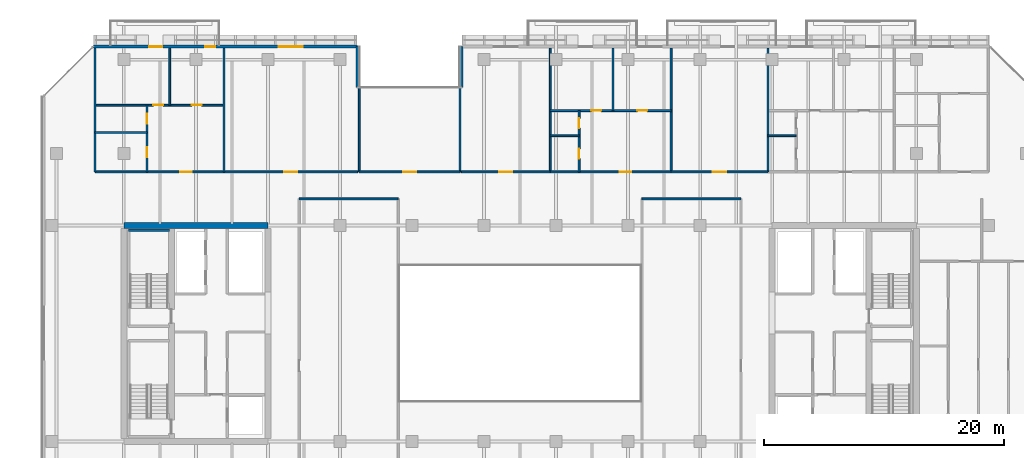
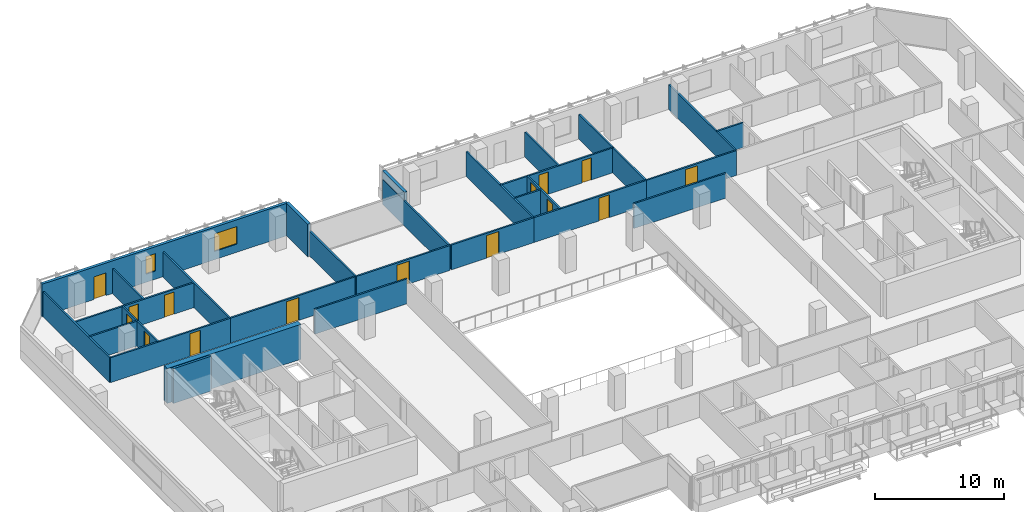
# One storey, part 24 of 33: 29 walls, 15 doors, 2 windows, 17 openings.
"""IFC4 building model written with IfcOpenShell, lengths in metres."""

from ifc_helpers import new_model, si_unit, direction, frame, frame_2d, origin, place, context, subcontext, project, spatial, rectangle, extrude, material, layer, layer_set, type_object, element, fill, save


model = new_model("IFC4")

# Units and contexts
model_context = context("Model", 3, precision=1e-05, world=origin(), true_north=direction((0.0, 1.0)))
body_context = subcontext(model_context, "Body", "Model", "MODEL_VIEW")
ifc_project = project(units=[si_unit("LENGTHUNIT", "METRE"), si_unit("AREAUNIT", "SQUARE_METRE"), si_unit("VOLUMEUNIT", "CUBIC_METRE"), si_unit("PLANEANGLEUNIT", "RADIAN"), si_unit("MASSUNIT", "GRAM", prefix="KILO")], contexts=[model_context])

# Site, building, storey
site_placement = place(None, origin())
site = spatial("IfcSite", under=ifc_project, at=site_placement, CompositionType="ELEMENT")
building_placement = place(site_placement, origin())
building = spatial("IfcBuilding", under=site, at=building_placement, Name="Tanjung Sevakor Pilgrim Tower", CompositionType="ELEMENT")
storey_placement = place(building_placement, frame((0.0, 0.0, 95.3701171875)))
storey = spatial("IfcBuildingStorey", under=building, at=storey_placement, Name="L26", CompositionType="ELEMENT", Elevation=95.3701171875)

# Walls
ifc_material_1 = material(Name="Concrete C60/75", Category="concrete")
ifc_layer_1 = layer(ifc_material_1, 0.5)
ifc_layer_set_1 = layer_set([ifc_layer_1], Name="WALL-CW-500")
wall_type_1 = type_object("IfcWallType", Name="WALL-CW-500", PredefinedType="SHEAR", material=ifc_layer_set_1)
wall_1_placement = place(storey_placement, frame((36.0, 42.60009765625, 0.0), z_axis=(0.0, 0.0, 1.0), x_axis=(-1.0, 0.0, 0.0)))
element("IfcWall", 1, at=wall_1_placement, inside=storey, type_object=wall_type_1, Name="L26 W Core North Shear Wall", PredefinedType="SHEAR", context=body_context, shape_type="SweptSolid", body=[
    extrude(rectangle(XDim=12.0, YDim=0.5, at=frame_2d((6.0, 0.0))), origin(), (0.0, 0.0, 1.0), 3.2998046875),
])
ifc_material_2 = material(Name="Concrete C40/50", Category="concrete")
ifc_layer_2 = layer(ifc_material_2, 0.14990234375)
ifc_layer_set_2 = layer_set([ifc_layer_2], Name="WT-COMP-150")
wall_type_2 = type_object("IfcWallType", Name="WT-COMP-150", PredefinedType="SOLIDWALL", material=ifc_layer_set_2)
for number, where, z_axis, x_axis, name in (
    (2, (38.60009765625, 44.800048828125, 0.0), (0.0, 0.0, 1.0), (1.0, 0.0, 0.0), "L26 Partition IW-L26-022"),
    (3, (67.14990234375, 44.800048828125, 0.0), (0.0, 0.0, 1.0), (1.0, 0.0, 0.0), "L26 Partition IW-L26-026"),
):
    element("IfcWall", number, at=place(storey_placement, frame(where, z_axis=z_axis, x_axis=x_axis)), inside=storey, type_object=wall_type_2, Name=name, PredefinedType="SOLIDWALL", context=body_context, shape_type="SweptSolid", body=[
        extrude(rectangle(XDim=8.25, YDim=0.14990234375, at=frame_2d((4.125, 0.0))), origin(), (0.0, 0.0, 1.0), 2.35009765625),
    ])

# Wall, opening, door
wall_2_placement = place(storey_placement, frame((43.60009765625, 47.050048828125, 0.0), z_axis=(0.0, 0.0, 1.0), x_axis=(1.0, 0.0, 0.0)))
wall_2 = element("IfcWall", 4, at=wall_2_placement, inside=storey, type_object=wall_type_2, Name="L26 Partition IW-L26-040", PredefinedType="SOLIDWALL", context=body_context, shape_type="SweptSolid", body=[
    extrude(rectangle(XDim=8.39990234375, YDim=0.14990234375, at=frame_2d((4.199951171875, 0.0))), origin(), (0.0, 0.0, 1.0), 2.35009765625),
])
opening_1_placement = place(wall_2_placement, frame((3.64990234375, 0.0, 0.0)))
opening_1 = element("IfcOpeningElement", 5, at=opening_1_placement, cuts=wall_2, Name="Opening ID-RM2", PredefinedType="OPENING", context=body_context, shape_type="SweptSolid", body=[
    extrude(rectangle(XDim=1.10009765625, YDim=2.14990234375, at=frame_2d((0.550048828125, 1.074951171875))), frame((0.0, 0.0849609375, 0.0), z_axis=(0.0, -1.0, 0.0), x_axis=(1.0, 0.0, 0.0)), (0.0, 0.0, 1.0), 0.169921875),
])
ifc_material_3 = material(Name="Hardwood Timber", Category="wood")
door_type_1 = type_object("IfcDoorType", Name="DT-INT-1100", OperationType="NOTDEFINED", PredefinedType="DOOR", material=ifc_material_3)
door_1_placement = place(opening_1_placement, origin())
door_1 = element("IfcDoor", 6, at=door_1_placement, inside=storey, type_object=door_type_1, Name="L26 North Cleft Reading Room Door", OperationType="SINGLE_SWING_LEFT", OverallHeight=2.14990234375, OverallWidth=1.10009765625, PredefinedType="DOOR", context=body_context, shape_type="SweptSolid", body=[
    extrude(rectangle(XDim=1.10009765625, YDim=2.14990234375, at=frame_2d((0.550048828125, 1.074951171875))), frame((0.0, 0.02490234375, 0.0), z_axis=(0.0, -1.0, 0.0), x_axis=(1.0, 0.0, 0.0)), (0.0, 0.0, 1.0), 0.050048828125),
])
fill(opening_1, door_1)

# Walls
for number, where, z_axis, x_axis, name in (
    (7, (43.60009765625, 47.050048828125, 0.0), (0.0, 0.0, 1.0), (0.0, 1.0, 0.0), "L26 Partition IW-L26-041"),
    (8, (52.0, 47.050048828125, 0.0), (0.0, 0.0, 1.0), (0.0, 1.0, 0.0), "L26 Partition IW-L26-042"),
    (9, (21.60009765625, 47.050048828125, 0.0), (0.0, 0.0, 1.0), (0.0, 1.0, 0.0), "L26 Partition IW-L26-075"),
    (10, (32.335693359375, 47.050048828125, 0.0), (0.0, 0.0, 1.0), (0.0, 1.0, 0.0), "L26 Partition IW-L26-076"),
):
    element("IfcWall", number, at=place(storey_placement, frame(where, z_axis=z_axis, x_axis=x_axis)), inside=storey, type_object=wall_type_2, Name=name, PredefinedType="SOLIDWALL", context=body_context, shape_type="SweptSolid", body=[
        extrude(rectangle(XDim=10.300048828125, YDim=0.14990234375, at=frame_2d((5.14990234375, 0.0))), origin(), (0.0, 0.0, 1.0), 2.35009765625),
    ])

# Wall, opening, door
wall_3_placement = place(storey_placement, frame((21.60009765625, 47.050048828125, 0.0), z_axis=(0.0, 0.0, 1.0), x_axis=(1.0, 0.0, 0.0)))
wall_3 = element("IfcWall", 11, at=wall_3_placement, inside=storey, type_object=wall_type_2, Name="L26 Partition IW-L26-081", PredefinedType="SOLIDWALL", context=body_context, shape_type="SweptSolid", body=[
    extrude(rectangle(XDim=10.735595703125, YDim=0.14990234375, at=frame_2d((5.36767578125, 0.0))), origin(), (0.0, 0.0, 1.0), 2.35009765625),
])
opening_2_placement = place(wall_3_placement, frame((7.093017578125, 0.0, 0.0)))
opening_2 = element("IfcOpeningElement", 12, at=opening_2_placement, cuts=wall_3, Name="Opening ID-FD2", PredefinedType="OPENING", context=body_context, shape_type="SweptSolid", body=[
    extrude(rectangle(XDim=0.949951171875, YDim=2.14990234375, at=frame_2d((0.47509765625, 1.074951171875))), frame((0.0, 0.0849609375, 0.0), z_axis=(0.0, -1.0, 0.0), x_axis=(1.0, 0.0, 0.0)), (0.0, 0.0, 1.0), 0.169921875),
])
ifc_material_4 = material(Name="Fire-Rated Timber", Category="wood")
door_type_2 = type_object("IfcDoorType", Name="DT-FIRE-950", OperationType="NOTDEFINED", PredefinedType="DOOR", material=ifc_material_4)
door_2_placement = place(opening_2_placement, origin())
door_2 = element("IfcDoor", 13, at=door_2_placement, inside=storey, type_object=door_type_2, Name="Suite Entrance", OperationType="SINGLE_SWING_LEFT", OverallHeight=2.14990234375, OverallWidth=0.949951171875, PredefinedType="DOOR", context=body_context, shape_type="SweptSolid", body=[
    extrude(rectangle(XDim=0.949951171875, YDim=2.14990234375, at=frame_2d((0.47509765625, 1.074951171875))), frame((0.0, 0.02490234375, 0.0), z_axis=(0.0, -1.0, 0.0), x_axis=(1.0, 0.0, 0.0)), (0.0, 0.0, 1.0), 0.050048828125),
])
fill(opening_2, door_2)

wall_4_placement = place(storey_placement, frame((32.335693359375, 47.050048828125, 0.0), z_axis=(0.0, 0.0, 1.0), x_axis=(1.0, 0.0, 0.0)))
wall_4 = element("IfcWall", 14, at=wall_4_placement, inside=storey, type_object=wall_type_2, Name="L26 Partition IW-L26-082", PredefinedType="SOLIDWALL", context=body_context, shape_type="SweptSolid", body=[
    extrude(rectangle(XDim=11.144287109375, YDim=0.14990234375, at=frame_2d((5.572265625, 0.0))), origin(), (0.0, 0.0, 1.0), 2.35009765625),
])
opening_3_placement = place(wall_4_placement, frame((5.022216796875, 0.0, 0.0)))
opening_3 = element("IfcOpeningElement", 15, at=opening_3_placement, cuts=wall_4, Name="Opening ID-FD0", PredefinedType="OPENING", context=body_context, shape_type="SweptSolid", body=[
    extrude(rectangle(XDim=1.10009765625, YDim=2.14990234375, at=frame_2d((0.550048828125, 1.074951171875))), frame((0.0, 0.0849609375, 0.0), z_axis=(0.0, -1.0, 0.0), x_axis=(1.0, 0.0, 0.0)), (0.0, 0.0, 1.0), 0.169921875),
])
ifc_material_5 = material(Name="Fire-Rated Steel S355J2", Category="steel")
door_type_3 = type_object("IfcDoorType", Name="DT-FIRE-1100", OperationType="NOTDEFINED", PredefinedType="DOOR", material=ifc_material_5)
door_3_placement = place(opening_3_placement, origin())
door_3 = element("IfcDoor", 16, at=door_3_placement, inside=storey, type_object=door_type_3, Name="Seminar Room Door", OperationType="SINGLE_SWING_RIGHT", OverallHeight=2.14990234375, OverallWidth=1.10009765625, PredefinedType="DOOR", context=body_context, shape_type="SweptSolid", body=[
    extrude(rectangle(XDim=1.10009765625, YDim=2.14990234375, at=frame_2d((0.550048828125, 1.074951171875))), frame((0.0, 0.02490234375, 0.0), z_axis=(0.0, -1.0, 0.0), x_axis=(1.0, 0.0, 0.0)), (0.0, 0.0, 1.0), 0.050048828125),
])
fill(opening_3, door_3)

# Wall
wall_5_placement = place(storey_placement, frame((59.508056640625, 47.050048828125, 0.0), z_axis=(0.0, 0.0, 1.0), x_axis=(0.0, 1.0, 0.0)))
element("IfcWall", 17, at=wall_5_placement, inside=storey, type_object=wall_type_2, Name="L26 Partition IW-L26-084", PredefinedType="SOLIDWALL", context=body_context, shape_type="SweptSolid", body=[
    extrude(rectangle(XDim=10.300048828125, YDim=0.14990234375, at=frame_2d((5.14990234375, 0.0))), origin(), (0.0, 0.0, 1.0), 2.35009765625),
])

# Wall, opening, door
wall_6_placement = place(storey_placement, frame((52.1201171875, 47.050048828125, 0.0), z_axis=(0.0, 0.0, 1.0), x_axis=(1.0, 0.0, 0.0)))
wall_6 = element("IfcWall", 18, at=wall_6_placement, inside=storey, type_object=wall_type_2, Name="L26 Partition IW-L26-085", PredefinedType="SOLIDWALL", context=body_context, shape_type="SweptSolid", body=[
    extrude(rectangle(XDim=7.387939453125, YDim=0.14990234375, at=frame_2d((3.69384765625, 0.0))), origin(), (0.0, 0.0, 1.0), 2.35009765625),
])
opening_4_placement = place(wall_6_placement, frame((3.14404296875, 0.0, 0.0)))
opening_4 = element("IfcOpeningElement", 19, at=opening_4_placement, cuts=wall_6, Name="Opening ID-FD0", PredefinedType="OPENING", context=body_context, shape_type="SweptSolid", body=[
    extrude(rectangle(XDim=1.10009765625, YDim=2.14990234375, at=frame_2d((0.550048828125, 1.074951171875))), frame((0.0, 0.0849609375, 0.0), z_axis=(0.0, -1.0, 0.0), x_axis=(1.0, 0.0, 0.0)), (0.0, 0.0, 1.0), 0.169921875),
])
door_4_placement = place(opening_4_placement, origin())
door_4 = element("IfcDoor", 20, at=door_4_placement, inside=storey, type_object=door_type_3, Name="Council Room Door", OperationType="SINGLE_SWING_LEFT", OverallHeight=2.14990234375, OverallWidth=1.10009765625, PredefinedType="DOOR", context=body_context, shape_type="SweptSolid", body=[
    extrude(rectangle(XDim=1.10009765625, YDim=2.14990234375, at=frame_2d((0.550048828125, 1.074951171875))), frame((0.0, 0.02490234375, 0.0), z_axis=(0.0, -1.0, 0.0), x_axis=(1.0, 0.0, 0.0)), (0.0, 0.0, 1.0), 0.050048828125),
])
fill(opening_4, door_4)

# Wall
wall_7_placement = place(storey_placement, frame((69.58251953125, 47.050048828125, 0.0), z_axis=(0.0, 0.0, 1.0), x_axis=(0.0, 1.0, 0.0)))
element("IfcWall", 21, at=wall_7_placement, inside=storey, type_object=wall_type_2, Name="L26 Partition IW-L26-086", PredefinedType="SOLIDWALL", context=body_context, shape_type="SweptSolid", body=[
    extrude(rectangle(XDim=10.300048828125, YDim=0.14990234375, at=frame_2d((5.14990234375, 0.0))), origin(), (0.0, 0.0, 1.0), 2.35009765625),
])

# Wall, opening, door
wall_8_placement = place(storey_placement, frame((59.508056640625, 47.050048828125, 0.0), z_axis=(0.0, 0.0, 1.0), x_axis=(1.0, 0.0, 0.0)))
wall_8 = element("IfcWall", 22, at=wall_8_placement, inside=storey, type_object=wall_type_2, Name="L26 Partition IW-L26-091", PredefinedType="SOLIDWALL", context=body_context, shape_type="SweptSolid", body=[
    extrude(rectangle(XDim=10.074462890625, YDim=0.14990234375, at=frame_2d((5.037109375, 0.0))), origin(), (0.0, 0.0, 1.0), 2.35009765625),
])
opening_5_placement = place(wall_8_placement, frame((5.808349609375, 0.0, 0.0)))
opening_5 = element("IfcOpeningElement", 23, at=opening_5_placement, cuts=wall_8, Name="Opening ID-FD2", PredefinedType="OPENING", context=body_context, shape_type="SweptSolid", body=[
    extrude(rectangle(XDim=0.949951171875, YDim=2.14990234375, at=frame_2d((0.47509765625, 1.074951171875))), frame((0.0, 0.0849609375, 0.0), z_axis=(0.0, -1.0, 0.0), x_axis=(1.0, 0.0, 0.0)), (0.0, 0.0, 1.0), 0.169921875),
])
door_5_placement = place(opening_5_placement, origin())
door_5 = element("IfcDoor", 24, at=door_5_placement, inside=storey, type_object=door_type_2, Name="Suite Entrance", OperationType="SINGLE_SWING_RIGHT", OverallHeight=2.14990234375, OverallWidth=0.949951171875, PredefinedType="DOOR", context=body_context, shape_type="SweptSolid", body=[
    extrude(rectangle(XDim=0.949951171875, YDim=2.14990234375, at=frame_2d((0.47509765625, 1.074951171875))), frame((0.0, 0.02490234375, 0.0), z_axis=(0.0, -1.0, 0.0), x_axis=(1.0, 0.0, 0.0)), (0.0, 0.0, 1.0), 0.050048828125),
])
fill(opening_5, door_5)

# Wall
wall_9_placement = place(storey_placement, frame((77.64208984375, 47.050048828125, 0.0), z_axis=(0.0, 0.0, 1.0), x_axis=(0.0, 1.0, 0.0)))
element("IfcWall", 25, at=wall_9_placement, inside=storey, type_object=wall_type_2, Name="L26 Partition IW-L26-092", PredefinedType="SOLIDWALL", context=body_context, shape_type="SweptSolid", body=[
    extrude(rectangle(XDim=10.300048828125, YDim=0.14990234375, at=frame_2d((5.14990234375, 0.0))), origin(), (0.0, 0.0, 1.0), 2.35009765625),
])

# Wall, opening, door
wall_10_placement = place(storey_placement, frame((69.58251953125, 47.050048828125, 0.0), z_axis=(0.0, 0.0, 1.0), x_axis=(1.0, 0.0, 0.0)))
wall_10 = element("IfcWall", 26, at=wall_10_placement, inside=storey, type_object=wall_type_2, Name="L26 Partition IW-L26-093", PredefinedType="SOLIDWALL", context=body_context, shape_type="SweptSolid", body=[
    extrude(rectangle(XDim=8.0595703125, YDim=0.14990234375, at=frame_2d((4.02978515625, 0.0))), origin(), (0.0, 0.0, 1.0), 2.35009765625),
])
opening_6_placement = place(wall_10_placement, frame((3.479736328125, 0.0, 0.0)))
opening_6 = element("IfcOpeningElement", 27, at=opening_6_placement, cuts=wall_10, Name="Opening ID-FD0", PredefinedType="OPENING", context=body_context, shape_type="SweptSolid", body=[
    extrude(rectangle(XDim=1.10009765625, YDim=2.14990234375, at=frame_2d((0.550048828125, 1.074951171875))), frame((0.0, 0.0849609375, 0.0), z_axis=(0.0, -1.0, 0.0), x_axis=(1.0, 0.0, 0.0)), (0.0, 0.0, 1.0), 0.169921875),
])
door_6_placement = place(opening_6_placement, origin())
door_6 = element("IfcDoor", 28, at=door_6_placement, inside=storey, type_object=door_type_3, Name="Council Room Door", OperationType="SINGLE_SWING_LEFT", OverallHeight=2.14990234375, OverallWidth=1.10009765625, PredefinedType="DOOR", context=body_context, shape_type="SweptSolid", body=[
    extrude(rectangle(XDim=1.10009765625, YDim=2.14990234375, at=frame_2d((0.550048828125, 1.074951171875))), frame((0.0, 0.02490234375, 0.0), z_axis=(0.0, -1.0, 0.0), x_axis=(1.0, 0.0, 0.0)), (0.0, 0.0, 1.0), 0.050048828125),
])
fill(opening_6, door_6)

# Walls
ifc_material_6 = material(Name="Precast concrete C45/55", Category="concrete")
ifc_layer_3 = layer(ifc_material_6, 0.25)
ifc_layer_set_3 = layer_set([ifc_layer_3], Name="WT-EW-STN3")
wall_type_3 = type_object("IfcWallType", Name="WT-EW-STN3", PredefinedType="SOLIDWALL", material=ifc_layer_set_3)
for number, where, z_axis, x_axis, name in (
    (29, (52.125, 57.47509765625, 0.0), (0.0, 0.0, 1.0), (0.0, -1.0, 0.0), "L26 MAIN Exterior Wall 10"),
    (30, (43.47509765625, 54.074951171875, 0.0), (0.0, 0.0, 1.0), (0.0, 1.0, 0.0), "L26 MAIN Exterior Wall 12"),
):
    element("IfcWall", number, at=place(storey_placement, frame(where, z_axis=z_axis, x_axis=x_axis)), inside=storey, type_object=wall_type_3, Name=name, PredefinedType="SOLIDWALL", context=body_context, shape_type="SweptSolid", body=[
        extrude(rectangle(XDim=3.400146484375, YDim=0.25, at=frame_2d((1.7001953125, 0.0))), origin(), (0.0, 0.0, 1.0), 3.080078125),
    ])

# Wall, openings, door, windows
wall_11_placement = place(storey_placement, frame((43.47509765625, 57.47509765625, 0.0), z_axis=(0.0, 0.0, 1.0), x_axis=(-1.0, 0.0, 0.0)))
wall_11 = element("IfcWall", 31, at=wall_11_placement, inside=storey, type_object=wall_type_3, Name="L26 MAIN Exterior Wall 13", PredefinedType="SOLIDWALL", context=body_context, shape_type="SweptSolid", body=[
    extrude(rectangle(XDim=22.023193359375, YDim=0.25, at=frame_2d((11.01171875, 0.0))), origin(), (0.0, 0.0, 1.0), 3.080078125),
])
opening_7_placement = place(wall_11_placement, frame((16.27490234375, 0.0, 0.0)))
opening_7 = element("IfcOpeningElement", 32, at=opening_7_placement, cuts=wall_11, Name="Opening ED-BAL-1100", PredefinedType="OPENING", context=body_context, shape_type="SweptSolid", body=[
    extrude(rectangle(XDim=1.10009765625, YDim=2.14990234375, at=frame_2d((0.550048828125, 1.074951171875))), frame((0.0, 0.135009765625, 0.0), z_axis=(0.0, -1.0, 0.0), x_axis=(1.0, 0.0, 0.0)), (0.0, 0.0, 1.0), 0.27001953125),
])
opening_8_placement = place(wall_11_placement, frame((11.862060546875, 0.0, 0.780029296875)))
opening_8 = element("IfcOpeningElement", 33, at=opening_8_placement, cuts=wall_11, Name="Opening WN-SLM", PredefinedType="OPENING", context=body_context, shape_type="SweptSolid", body=[
    extrude(rectangle(XDim=0.85009765625, YDim=1.64990234375, at=frame_2d((0.425048828125, 0.824951171875))), frame((0.0, 0.135009765625, 0.0), z_axis=(0.0, -1.0, 0.0), x_axis=(1.0, 0.0, 0.0)), (0.0, 0.0, 1.0), 0.27001953125),
])
opening_9_placement = place(wall_11_placement, frame((4.567138671875, 0.0, 0.780029296875)))
opening_9 = element("IfcOpeningElement", 34, at=opening_9_placement, cuts=wall_11, Name="Opening WN-Z2-1660", PredefinedType="OPENING", context=body_context, shape_type="SweptSolid", body=[
    extrude(rectangle(XDim=2.0, YDim=1.659912109375, at=frame_2d((1.0, 0.830078125))), frame((0.0, 0.135009765625, 0.0), z_axis=(0.0, -1.0, 0.0), x_axis=(1.0, 0.0, 0.0)), (0.0, 0.0, 1.0), 0.27001953125),
])
ifc_material_7 = material(Name="Anodised Aluminium and Laminated Glass", Category="aluminium")
door_type_4 = type_object("IfcDoorType", Name="DTYP-ED-BAL-1100", OperationType="NOTDEFINED", PredefinedType="DOOR", material=ifc_material_7)
door_7_placement = place(opening_7_placement, frame((1.10009765625, 0.0, 0.0), z_axis=(0.0, 0.0, 1.0), x_axis=(-1.0, 0.0, 0.0)))
door_7 = element("IfcDoor", 35, at=door_7_placement, inside=storey, type_object=door_type_4, Name="L26 Balcony Door MAIN-N1", OperationType="SINGLE_SWING_RIGHT", OverallHeight=2.14990234375, OverallWidth=1.10009765625, PredefinedType="DOOR", context=body_context, shape_type="SweptSolid", body=[
    extrude(rectangle(XDim=1.10009765625, YDim=2.14990234375, at=frame_2d((0.550048828125, 1.074951171875))), frame((0.0, 0.02490234375, 0.0), z_axis=(0.0, -1.0, 0.0), x_axis=(1.0, 0.0, 0.0)), (0.0, 0.0, 1.0), 0.050048828125),
])
fill(opening_7, door_7)
ifc_material_8 = material(Name="Thermally Broken Aluminium and Low-E Glass", Category="aluminium")
window_type_1 = type_object("IfcWindowType", Name="WTYP-WN-SLM", PartitioningType="SINGLE_PANEL", PredefinedType="WINDOW", material=ifc_material_8)
window_1_placement = place(opening_8_placement, origin())
window_1 = element("IfcWindow", 36, at=window_1_placement, inside=storey, type_object=window_type_1, Name="L26 Facade Window 01", OverallHeight=1.64990234375, OverallWidth=0.85009765625, PartitioningType="SINGLE_PANEL", PredefinedType="WINDOW", context=body_context, shape_type="SweptSolid", body=[
    extrude(rectangle(XDim=0.85009765625, YDim=1.64990234375, at=frame_2d((0.425048828125, 0.824951171875))), frame((0.0, 0.030029296875, 0.0), z_axis=(0.0, -1.0, 0.0), x_axis=(1.0, 0.0, 0.0)), (0.0, 0.0, 1.0), 0.06005859375),
])
fill(opening_8, window_1)
ifc_material_9 = material(Name="Thermally Broken Aluminium and Low-E Glass", Category="aluminium")
window_type_2 = type_object("IfcWindowType", Name="WTYP-WN-Z2-1660", PartitioningType="DOUBLE_PANEL_VERTICAL", PredefinedType="WINDOW", material=ifc_material_9)
window_2_placement = place(opening_9_placement, origin())
window_2 = element("IfcWindow", 37, at=window_2_placement, inside=storey, type_object=window_type_2, Name="L26 Facade Window 02", OverallHeight=1.659912109375, OverallWidth=2.0, PartitioningType="SINGLE_PANEL", PredefinedType="WINDOW", context=body_context, shape_type="SweptSolid", body=[
    extrude(rectangle(XDim=2.0, YDim=1.659912109375, at=frame_2d((1.0, 0.830078125))), frame((0.0, 0.030029296875, 0.0), z_axis=(0.0, -1.0, 0.0), x_axis=(1.0, 0.0, 0.0)), (0.0, 0.0, 1.0), 0.06005859375),
])
fill(opening_9, window_2)

# Walls
ifc_material_10 = material(Name="Concrete C40/50", Category="concrete")
ifc_layer_4 = layer(ifc_material_10, 0.199951171875)
ifc_layer_set_4 = layer_set([ifc_layer_4], Name="WT-FIRE-200")
wall_type_4 = type_object("IfcWallType", Name="WT-FIRE-200", PredefinedType="SOLIDWALL", material=ifc_layer_set_4)
wall_12_placement = place(storey_placement, frame((27.800048828125, 42.199951171875, 0.0), z_axis=(0.0, 0.0, 1.0), x_axis=(-1.0, 0.0, 0.0)))
element("IfcWall", 38, at=wall_12_placement, inside=storey, type_object=wall_type_4, Name="L26 TS-W2 Shaft Wall 2", PredefinedType="SOLIDWALL", context=body_context, shape_type="SweptSolid", body=[
    extrude(rectangle(XDim=3.400146484375, YDim=0.199951171875, at=frame_2d((1.7001953125, 0.0))), origin(), (0.0, 0.0, 1.0), 3.2998046875),
])
ifc_material_11 = material(Name="Gypsum Board Partition", Category="gypsum board")
ifc_layer_5 = layer(ifc_material_11, 0.14990234375)
ifc_layer_set_5 = layer_set([ifc_layer_5], Name="WT-PART-150")
wall_type_5 = type_object("IfcWallType", Name="WT-PART-150", PredefinedType="PARTITIONING", material=ifc_layer_set_5)
wall_13_placement = place(storey_placement, frame((21.60009765625, 50.32861328125, 0.0), z_axis=(0.0, 0.0, 1.0), x_axis=(1.0, 0.0, 0.0)))
element("IfcWall", 39, at=wall_13_placement, inside=storey, type_object=wall_type_5, Name="L26 Partition IW-L26-077", PredefinedType="PARTITIONING", context=body_context, shape_type="SweptSolid", body=[
    extrude(rectangle(XDim=4.31982421875, YDim=0.14990234375, at=frame_2d((2.159912109375, 0.0))), origin(), (0.0, 0.0, 1.0), 2.35009765625),
])

# Wall, openings, doors
wall_14_placement = place(storey_placement, frame((25.919921875, 47.050048828125, 0.0), z_axis=(0.0, 0.0, 1.0), x_axis=(0.0, 1.0, 0.0)))
wall_14 = element("IfcWall", 40, at=wall_14_placement, inside=storey, type_object=wall_type_5, Name="L26 Partition IW-L26-078", PredefinedType="PARTITIONING", context=body_context, shape_type="SweptSolid", body=[
    extrude(rectangle(XDim=5.55712890625, YDim=0.14990234375, at=frame_2d((2.778564453125, 0.0))), origin(), (0.0, 0.0, 1.0), 2.35009765625),
])
opening_10_placement = place(wall_14_placement, frame((1.21435546875, 0.0, 0.0)))
opening_10 = element("IfcOpeningElement", 41, at=opening_10_placement, cuts=wall_14, Name="Opening ID-WC1", PredefinedType="OPENING", context=body_context, shape_type="SweptSolid", body=[
    extrude(rectangle(XDim=0.85009765625, YDim=2.10009765625, at=frame_2d((0.425048828125, 1.050048828125))), frame((0.0, 0.0849609375, 0.0), z_axis=(0.0, -1.0, 0.0), x_axis=(1.0, 0.0, 0.0)), (0.0, 0.0, 1.0), 0.169921875),
])
opening_11_placement = place(wall_14_placement, frame((3.992919921875, 0.0, 0.0)))
opening_11 = element("IfcOpeningElement", 42, at=opening_11_placement, cuts=wall_14, Name="Opening ID-WC1", PredefinedType="OPENING", context=body_context, shape_type="SweptSolid", body=[
    extrude(rectangle(XDim=0.85009765625, YDim=2.10009765625, at=frame_2d((0.425048828125, 1.050048828125))), frame((0.0, 0.0849609375, 0.0), z_axis=(0.0, -1.0, 0.0), x_axis=(1.0, 0.0, 0.0)), (0.0, 0.0, 1.0), 0.169921875),
])
ifc_material_12 = material(Name="Moisture-Resistant Timber", Category="wood")
door_type_5 = type_object("IfcDoorType", Name="DT-INT-850", OperationType="NOTDEFINED", PredefinedType="DOOR", material=ifc_material_12)
door_8_placement = place(opening_10_placement, origin())
door_8 = element("IfcDoor", 43, at=door_8_placement, inside=storey, type_object=door_type_5, Name="Suite Kitchenette Door", OperationType="SINGLE_SWING_LEFT", OverallHeight=2.10009765625, OverallWidth=0.85009765625, PredefinedType="DOOR", context=body_context, shape_type="SweptSolid", body=[
    extrude(rectangle(XDim=0.85009765625, YDim=2.10009765625, at=frame_2d((0.425048828125, 1.050048828125))), frame((0.0, 0.02490234375, 0.0), z_axis=(0.0, -1.0, 0.0), x_axis=(1.0, 0.0, 0.0)), (0.0, 0.0, 1.0), 0.050048828125),
])
fill(opening_10, door_8)
door_9_placement = place(opening_11_placement, origin())
door_9 = element("IfcDoor", 44, at=door_9_placement, inside=storey, type_object=door_type_5, Name="Suite Bathroom Door", OperationType="SINGLE_SWING_RIGHT", OverallHeight=2.10009765625, OverallWidth=0.85009765625, PredefinedType="DOOR", context=body_context, shape_type="SweptSolid", body=[
    extrude(rectangle(XDim=0.85009765625, YDim=2.10009765625, at=frame_2d((0.425048828125, 1.050048828125))), frame((0.0, 0.02490234375, 0.0), z_axis=(0.0, -1.0, 0.0), x_axis=(1.0, 0.0, 0.0)), (0.0, 0.0, 1.0), 0.050048828125),
])
fill(opening_11, door_9)

# Wall
wall_15_placement = place(storey_placement, frame((27.820068359375, 52.607177734375, 0.0), z_axis=(0.0, 0.0, 1.0), x_axis=(0.0, 1.0, 0.0)))
element("IfcWall", 45, at=wall_15_placement, inside=storey, type_object=wall_type_5, Name="L26 Partition IW-L26-079", PredefinedType="PARTITIONING", context=body_context, shape_type="SweptSolid", body=[
    extrude(rectangle(XDim=4.742919921875, YDim=0.14990234375, at=frame_2d((2.37158203125, 0.0))), origin(), (0.0, 0.0, 1.0), 2.35009765625),
])

# Wall, openings, doors
wall_16_placement = place(storey_placement, frame((21.60009765625, 52.607177734375, 0.0), z_axis=(0.0, 0.0, 1.0), x_axis=(1.0, 0.0, 0.0)))
wall_16 = element("IfcWall", 46, at=wall_16_placement, inside=storey, type_object=wall_type_5, Name="L26 Partition IW-L26-080", PredefinedType="PARTITIONING", context=body_context, shape_type="SweptSolid", body=[
    extrude(rectangle(XDim=10.735595703125, YDim=0.14990234375, at=frame_2d((5.36767578125, 0.0))), origin(), (0.0, 0.0, 1.0), 2.35009765625),
])
opening_12_placement = place(wall_16_placement, frame((4.844970703125, 0.0, 0.0)))
opening_12 = element("IfcOpeningElement", 47, at=opening_12_placement, cuts=wall_16, Name="Opening ID-WC1", PredefinedType="OPENING", context=body_context, shape_type="SweptSolid", body=[
    extrude(rectangle(XDim=0.85009765625, YDim=2.10009765625, at=frame_2d((0.425048828125, 1.050048828125))), frame((0.0, 0.0849609375, 0.0), z_axis=(0.0, -1.0, 0.0), x_axis=(1.0, 0.0, 0.0)), (0.0, 0.0, 1.0), 0.169921875),
])
opening_13_placement = place(wall_16_placement, frame((8.052978515625, 0.0, 0.0)))
opening_13 = element("IfcOpeningElement", 48, at=opening_13_placement, cuts=wall_16, Name="Opening ID-WC1", PredefinedType="OPENING", context=body_context, shape_type="SweptSolid", body=[
    extrude(rectangle(XDim=0.85009765625, YDim=2.10009765625, at=frame_2d((0.425048828125, 1.050048828125))), frame((0.0, 0.0849609375, 0.0), z_axis=(0.0, -1.0, 0.0), x_axis=(1.0, 0.0, 0.0)), (0.0, 0.0, 1.0), 0.169921875),
])
door_10_placement = place(opening_12_placement, origin())
door_10 = element("IfcDoor", 49, at=door_10_placement, inside=storey, type_object=door_type_5, Name="Suite Bedroom 1 Door", OperationType="SINGLE_SWING_LEFT", OverallHeight=2.10009765625, OverallWidth=0.85009765625, PredefinedType="DOOR", context=body_context, shape_type="SweptSolid", body=[
    extrude(rectangle(XDim=0.85009765625, YDim=2.10009765625, at=frame_2d((0.425048828125, 1.050048828125))), frame((0.0, 0.02490234375, 0.0), z_axis=(0.0, -1.0, 0.0), x_axis=(1.0, 0.0, 0.0)), (0.0, 0.0, 1.0), 0.050048828125),
])
fill(opening_12, door_10)
door_11_placement = place(opening_13_placement, origin())
door_11 = element("IfcDoor", 50, at=door_11_placement, inside=storey, type_object=door_type_5, Name="Suite Bedroom 2 Door", OperationType="SINGLE_SWING_RIGHT", OverallHeight=2.10009765625, OverallWidth=0.85009765625, PredefinedType="DOOR", context=body_context, shape_type="SweptSolid", body=[
    extrude(rectangle(XDim=0.85009765625, YDim=2.10009765625, at=frame_2d((0.425048828125, 1.050048828125))), frame((0.0, 0.02490234375, 0.0), z_axis=(0.0, -1.0, 0.0), x_axis=(1.0, 0.0, 0.0)), (0.0, 0.0, 1.0), 0.050048828125),
])
fill(opening_13, door_11)

# Wall
wall_17_placement = place(storey_placement, frame((59.508056640625, 50.05908203125, 0.0), z_axis=(0.0, 0.0, 1.0), x_axis=(1.0, 0.0, 0.0)))
element("IfcWall", 51, at=wall_17_placement, inside=storey, type_object=wall_type_5, Name="L26 Partition IW-L26-087", PredefinedType="PARTITIONING", context=body_context, shape_type="SweptSolid", body=[
    extrude(rectangle(XDim=2.411865234375, YDim=0.14990234375, at=frame_2d((1.2060546875, 0.0))), origin(), (0.0, 0.0, 1.0), 2.35009765625),
])

# Wall, openings, doors
wall_18_placement = place(storey_placement, frame((61.919921875, 47.050048828125, 0.0), z_axis=(0.0, 0.0, 1.0), x_axis=(0.0, 1.0, 0.0)))
wall_18 = element("IfcWall", 52, at=wall_18_placement, inside=storey, type_object=wall_type_5, Name="L26 Partition IW-L26-088", PredefinedType="PARTITIONING", context=body_context, shape_type="SweptSolid", body=[
    extrude(rectangle(XDim=5.099853515625, YDim=0.14990234375, at=frame_2d((2.5498046875, 0.0))), origin(), (0.0, 0.0, 1.0), 2.35009765625),
])
opening_14_placement = place(wall_18_placement, frame((1.07958984375, 0.0, 0.0)))
opening_14 = element("IfcOpeningElement", 53, at=opening_14_placement, cuts=wall_18, Name="Opening ID-WC1", PredefinedType="OPENING", context=body_context, shape_type="SweptSolid", body=[
    extrude(rectangle(XDim=0.85009765625, YDim=2.10009765625, at=frame_2d((0.425048828125, 1.050048828125))), frame((0.0, 0.0849609375, 0.0), z_axis=(0.0, -1.0, 0.0), x_axis=(1.0, 0.0, 0.0)), (0.0, 0.0, 1.0), 0.169921875),
])
opening_15_placement = place(wall_18_placement, frame((3.62939453125, 0.0, 0.0)))
opening_15 = element("IfcOpeningElement", 54, at=opening_15_placement, cuts=wall_18, Name="Opening ID-WC1", PredefinedType="OPENING", context=body_context, shape_type="SweptSolid", body=[
    extrude(rectangle(XDim=0.85009765625, YDim=2.10009765625, at=frame_2d((0.425048828125, 1.050048828125))), frame((0.0, 0.0849609375, 0.0), z_axis=(0.0, -1.0, 0.0), x_axis=(1.0, 0.0, 0.0)), (0.0, 0.0, 1.0), 0.169921875),
])
door_12_placement = place(opening_14_placement, origin())
door_12 = element("IfcDoor", 55, at=door_12_placement, inside=storey, type_object=door_type_5, Name="Suite Kitchenette Door", OperationType="SINGLE_SWING_RIGHT", OverallHeight=2.10009765625, OverallWidth=0.85009765625, PredefinedType="DOOR", context=body_context, shape_type="SweptSolid", body=[
    extrude(rectangle(XDim=0.85009765625, YDim=2.10009765625, at=frame_2d((0.425048828125, 1.050048828125))), frame((0.0, 0.02490234375, 0.0), z_axis=(0.0, -1.0, 0.0), x_axis=(1.0, 0.0, 0.0)), (0.0, 0.0, 1.0), 0.050048828125),
])
fill(opening_14, door_12)
door_13_placement = place(opening_15_placement, origin())
door_13 = element("IfcDoor", 56, at=door_13_placement, inside=storey, type_object=door_type_5, Name="Suite Bathroom Door", OperationType="SINGLE_SWING_LEFT", OverallHeight=2.10009765625, OverallWidth=0.85009765625, PredefinedType="DOOR", context=body_context, shape_type="SweptSolid", body=[
    extrude(rectangle(XDim=0.85009765625, YDim=2.10009765625, at=frame_2d((0.425048828125, 1.050048828125))), frame((0.0, 0.02490234375, 0.0), z_axis=(0.0, -1.0, 0.0), x_axis=(1.0, 0.0, 0.0)), (0.0, 0.0, 1.0), 0.050048828125),
])
fill(opening_15, door_13)

# Wall
wall_19_placement = place(storey_placement, frame((64.74658203125, 52.14990234375, 0.0), z_axis=(0.0, 0.0, 1.0), x_axis=(0.0, 1.0, 0.0)))
element("IfcWall", 57, at=wall_19_placement, inside=storey, type_object=wall_type_5, Name="L26 Partition IW-L26-089", PredefinedType="PARTITIONING", context=body_context, shape_type="SweptSolid", body=[
    extrude(rectangle(XDim=5.2001953125, YDim=0.14990234375, at=frame_2d((2.60009765625, 0.0))), origin(), (0.0, 0.0, 1.0), 2.35009765625),
])

# Wall, openings, doors
wall_20_placement = place(storey_placement, frame((59.508056640625, 52.14990234375, 0.0), z_axis=(0.0, 0.0, 1.0), x_axis=(1.0, 0.0, 0.0)))
wall_20 = element("IfcWall", 58, at=wall_20_placement, inside=storey, type_object=wall_type_5, Name="L26 Partition IW-L26-090", PredefinedType="PARTITIONING", context=body_context, shape_type="SweptSolid", body=[
    extrude(rectangle(XDim=10.074462890625, YDim=0.14990234375, at=frame_2d((5.037109375, 0.0))), origin(), (0.0, 0.0, 1.0), 2.35009765625),
])
opening_16_placement = place(wall_20_placement, frame((3.400390625, 0.0, 0.0)))
opening_16 = element("IfcOpeningElement", 59, at=opening_16_placement, cuts=wall_20, Name="Opening ID-WC1", PredefinedType="OPENING", context=body_context, shape_type="SweptSolid", body=[
    extrude(rectangle(XDim=0.85009765625, YDim=2.10009765625, at=frame_2d((0.425048828125, 1.050048828125))), frame((0.0, 0.0849609375, 0.0), z_axis=(0.0, -1.0, 0.0), x_axis=(1.0, 0.0, 0.0)), (0.0, 0.0, 1.0), 0.169921875),
])
opening_17_placement = place(wall_20_placement, frame((7.231689453125, 0.0, 0.0)))
opening_17 = element("IfcOpeningElement", 60, at=opening_17_placement, cuts=wall_20, Name="Opening ID-WC1", PredefinedType="OPENING", context=body_context, shape_type="SweptSolid", body=[
    extrude(rectangle(XDim=0.85009765625, YDim=2.10009765625, at=frame_2d((0.425048828125, 1.050048828125))), frame((0.0, 0.0849609375, 0.0), z_axis=(0.0, -1.0, 0.0), x_axis=(1.0, 0.0, 0.0)), (0.0, 0.0, 1.0), 0.169921875),
])
door_14_placement = place(opening_16_placement, origin())
door_14 = element("IfcDoor", 61, at=door_14_placement, inside=storey, type_object=door_type_5, Name="Suite Bedroom 1 Door", OperationType="SINGLE_SWING_RIGHT", OverallHeight=2.10009765625, OverallWidth=0.85009765625, PredefinedType="DOOR", context=body_context, shape_type="SweptSolid", body=[
    extrude(rectangle(XDim=0.85009765625, YDim=2.10009765625, at=frame_2d((0.425048828125, 1.050048828125))), frame((0.0, 0.02490234375, 0.0), z_axis=(0.0, -1.0, 0.0), x_axis=(1.0, 0.0, 0.0)), (0.0, 0.0, 1.0), 0.050048828125),
])
fill(opening_16, door_14)
door_15_placement = place(opening_17_placement, origin())
door_15 = element("IfcDoor", 62, at=door_15_placement, inside=storey, type_object=door_type_5, Name="Suite Bedroom 2 Door", OperationType="SINGLE_SWING_LEFT", OverallHeight=2.10009765625, OverallWidth=0.85009765625, PredefinedType="DOOR", context=body_context, shape_type="SweptSolid", body=[
    extrude(rectangle(XDim=0.85009765625, YDim=2.10009765625, at=frame_2d((0.425048828125, 1.050048828125))), frame((0.0, 0.02490234375, 0.0), z_axis=(0.0, -1.0, 0.0), x_axis=(1.0, 0.0, 0.0)), (0.0, 0.0, 1.0), 0.050048828125),
])
fill(opening_17, door_15)

# Wall
wall_21_placement = place(storey_placement, frame((77.64208984375, 50.05908203125, 0.0), z_axis=(0.0, 0.0, 1.0), x_axis=(1.0, 0.0, 0.0)))
element("IfcWall", 63, at=wall_21_placement, inside=storey, type_object=wall_type_5, Name="L26 Partition IW-L26-095", PredefinedType="PARTITIONING", context=body_context, shape_type="SweptSolid", body=[
    extrude(rectangle(XDim=2.35009765625, YDim=0.14990234375, at=frame_2d((1.175048828125, 0.0))), origin(), (0.0, 0.0, 1.0), 2.35009765625),
])

save(model, "model.ifc")
